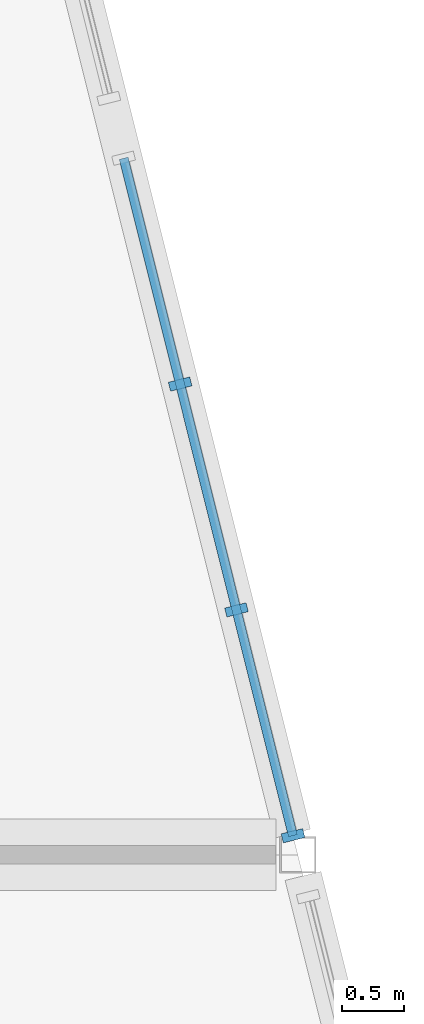
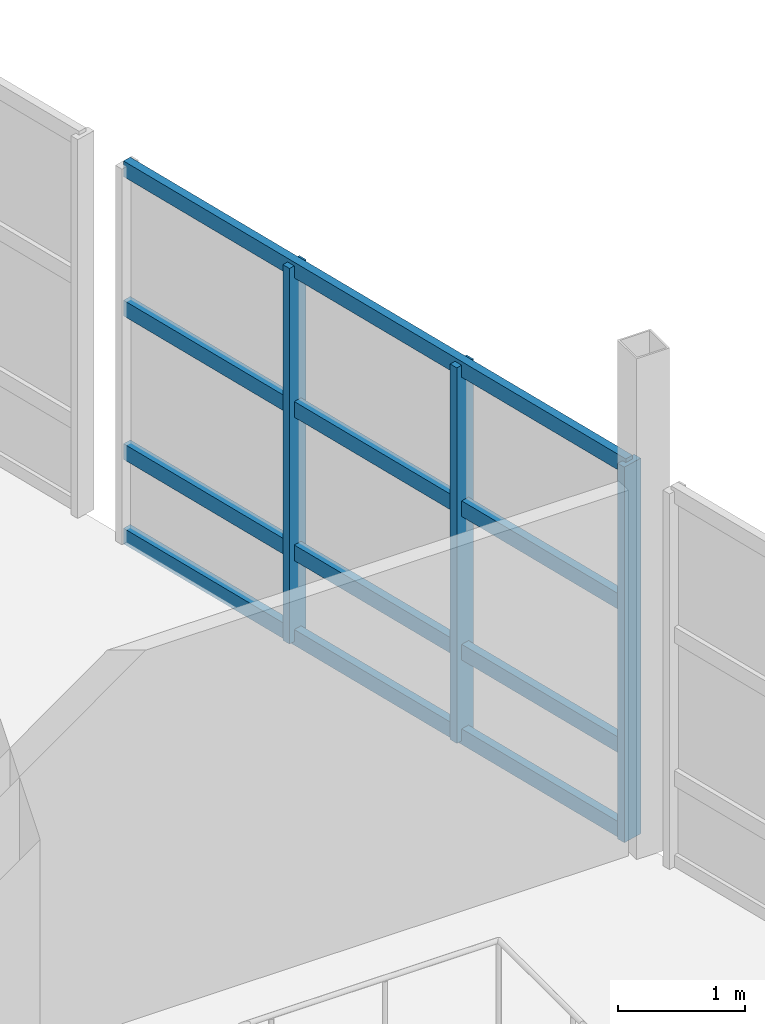
# One storey, part 20 of 49: 7 members, 1 element without a shape of its own.
"""IFC4 building model written with IfcOpenShell, lengths in metres."""

from ifc_helpers import new_model, si_unit, direction, frame, origin, origin_2d, place, context, subcontext, project, spatial, rectangle, extrude, material, material_profile, profile_set, type_object, element, aggregate, save


model = new_model("IFC4")

# Units and contexts
model_context = context("Model", 3, precision=1e-05, world=origin(), true_north=direction((0.0, 1.0)))
body_context = subcontext(model_context, "Body", "Model", "MODEL_VIEW")
ifc_project = project(units=[si_unit("LENGTHUNIT", "METRE"), si_unit("AREAUNIT", "SQUARE_METRE"), si_unit("VOLUMEUNIT", "CUBIC_METRE"), si_unit("PLANEANGLEUNIT", "RADIAN"), si_unit("MASSUNIT", "GRAM", prefix="KILO")], contexts=[model_context])

# Site, building, storey
site_placement = place(None, origin())
site = spatial("IfcSite", under=ifc_project, at=site_placement, CompositionType="ELEMENT")
building_placement = place(site_placement, origin())
building = spatial("IfcBuilding", under=site, at=building_placement, Name="Kamomehara Wholesale Market", CompositionType="ELEMENT")
storey_placement = place(building_placement, frame((0.0, 0.0, 11.39990234375)))
storey = spatial("IfcBuildingStorey", under=building, at=storey_placement, Name="L02", CompositionType="ELEMENT", Elevation=11.39990234375)

# Curtain wall, members
ifc_material_1 = material(Name="Anodised aluminium 6063-T5", Category="aluminium")
curtain_wall_type = type_object("IfcCurtainWallType", Name="CW-UN-09", PredefinedType="NOTDEFINED", material=ifc_material_1)
curtain_wall_placement = place(storey_placement, origin())
curtain_wall = element("IfcCurtainWall", 1, at=curtain_wall_placement, inside=storey, type_object=curtain_wall_type, Name="Unitised curtain wall CW-202", PredefinedType="NOTDEFINED")
ifc_material_2 = material(Name="Anodised aluminium 6063-T5", Category="aluminium")
ifc_material_profile_1 = material_profile(ifc_material_2, rectangle(XDim=0.074951171875, YDim=0.179931640625, at=origin_2d()), Name="ALU-MUL-75x180")
ifc_profile_set_1 = profile_set([ifc_material_profile_1], Name="Anodised aluminium 6063-T5")
member_type_1 = type_object("IfcMemberType", Name="CW-MUL-180", PredefinedType="MULLION", material=ifc_profile_set_1)
member_1_placement = place(storey_placement, frame((191.0439453125, 75.824951171875, 0.0), z_axis=(0.0, 0.0, 1.0), x_axis=(0.242494251575, -0.970152842573, 0.0)))
member_1 = element("IfcMember", 2, at=member_1_placement, type_object=member_type_1, Name="Mullion CW-202.1", PredefinedType="MULLION", context=body_context, shape_type="SweptSolid", body=[
    extrude(rectangle(XDim=0.074951171875, YDim=0.179931640625, at=origin_2d()), origin(), (0.0, 0.0, 1.0), 3.60009765625),
])
member_2_placement = place(storey_placement, frame((191.501953125, 73.989990234375, 0.0), z_axis=(0.0, 0.0, 1.0), x_axis=(0.242494251575, -0.970152842573, 0.0)))
member_2 = element("IfcMember", 3, at=member_2_placement, type_object=member_type_1, Name="Mullion CW-202.2", PredefinedType="MULLION", context=body_context, shape_type="SweptSolid", body=[
    extrude(rectangle(XDim=0.074951171875, YDim=0.179931640625, at=origin_2d()), origin(), (0.0, 0.0, 1.0), 3.60009765625),
])
member_3_placement = place(storey_placement, frame((191.9609375, 72.155029296875, 0.0), z_axis=(0.0, 0.0, 1.0), x_axis=(0.242494251575, -0.970152842573, 0.0)))
member_3 = element("IfcMember", 4, at=member_3_placement, type_object=member_type_1, Name="Mullion CW-202.3", PredefinedType="MULLION", context=body_context, shape_type="SweptSolid", body=[
    extrude(rectangle(XDim=0.074951171875, YDim=0.179931640625, at=origin_2d()), origin(), (0.0, 0.0, 1.0), 3.60009765625),
])
ifc_material_3 = material(Name="Anodised aluminium 6063-T5", Category="aluminium")
ifc_material_profile_2 = material_profile(ifc_material_3, rectangle(XDim=0.074951171875, YDim=0.14990234375, at=origin_2d()), Name="ALU-TRN-75x150")
ifc_profile_set_2 = profile_set([ifc_material_profile_2], Name="Anodised aluminium 6063-T5")
member_type_2 = type_object("IfcMemberType", Name="CW-TRN-150", PredefinedType="USERDEFINED", material=ifc_profile_set_2)
member_4_placement = place(storey_placement, frame((190.5849609375, 77.659912109375, 0.0400390625), z_axis=(0.242495129667, -0.97015262309, 0.0), x_axis=(0.97015262309, 0.242495129667, 0.0)))
member_4 = element("IfcMember", 5, at=member_4_placement, type_object=member_type_2, Name="Transom CW-202.0", ObjectType="TRANSOM", PredefinedType="USERDEFINED", context=body_context, shape_type="SweptSolid", body=[
    extrude(rectangle(XDim=0.074951171875, YDim=0.14990234375, at=origin_2d()), origin(), (0.0, 0.0, 1.0), 5.67431640625),
])
member_5_placement = place(storey_placement, frame((190.5849609375, 77.659912109375, 0.85009765625), z_axis=(0.242495129667, -0.97015262309, 0.0), x_axis=(0.97015262309, 0.242495129667, 0.0)))
member_5 = element("IfcMember", 6, at=member_5_placement, type_object=member_type_2, Name="Transom CW-202.1", ObjectType="TRANSOM", PredefinedType="USERDEFINED", context=body_context, shape_type="SweptSolid", body=[
    extrude(rectangle(XDim=0.074951171875, YDim=0.14990234375, at=origin_2d()), origin(), (0.0, 0.0, 1.0), 5.67431640625),
])
member_6_placement = place(storey_placement, frame((190.5849609375, 77.659912109375, 2.22509765625), z_axis=(0.242495129667, -0.97015262309, 0.0), x_axis=(0.97015262309, 0.242495129667, 0.0)))
member_6 = element("IfcMember", 7, at=member_6_placement, type_object=member_type_2, Name="Transom CW-202.2", ObjectType="TRANSOM", PredefinedType="USERDEFINED", context=body_context, shape_type="SweptSolid", body=[
    extrude(rectangle(XDim=0.074951171875, YDim=0.14990234375, at=origin_2d()), origin(), (0.0, 0.0, 1.0), 5.67431640625),
])
member_7_placement = place(storey_placement, frame((190.5849609375, 77.659912109375, 3.56005859375), z_axis=(0.242495129667, -0.97015262309, 0.0), x_axis=(0.97015262309, 0.242495129667, 0.0)))
member_7 = element("IfcMember", 8, at=member_7_placement, type_object=member_type_2, Name="Transom CW-202.3", ObjectType="TRANSOM", PredefinedType="USERDEFINED", context=body_context, shape_type="SweptSolid", body=[
    extrude(rectangle(XDim=0.074951171875, YDim=0.14990234375, at=origin_2d()), origin(), (0.0, 0.0, 1.0), 5.67431640625),
])
aggregate(curtain_wall, [member_1, member_2, member_3, member_4, member_5, member_6, member_7])

save(model, "model.ifc")
